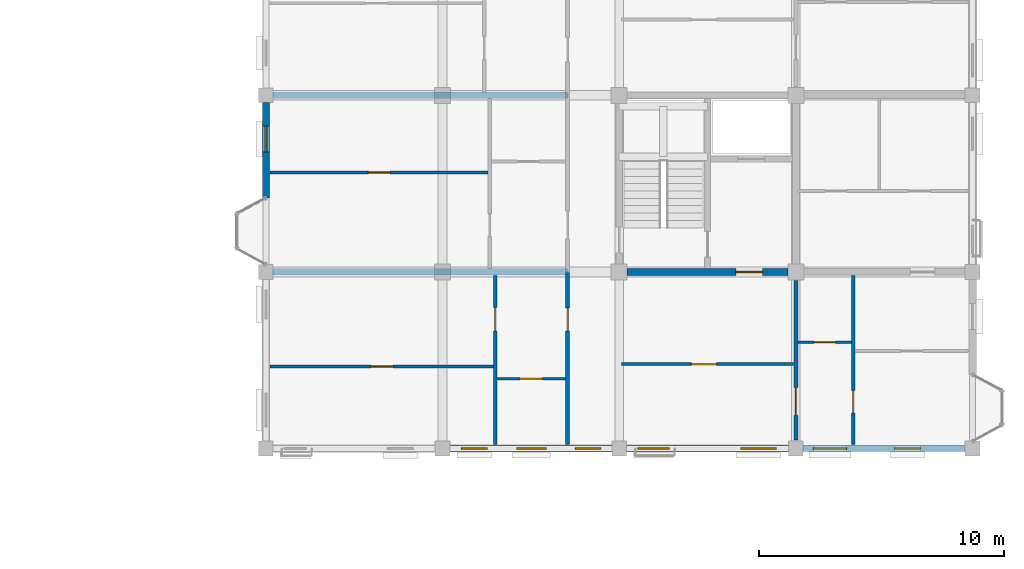
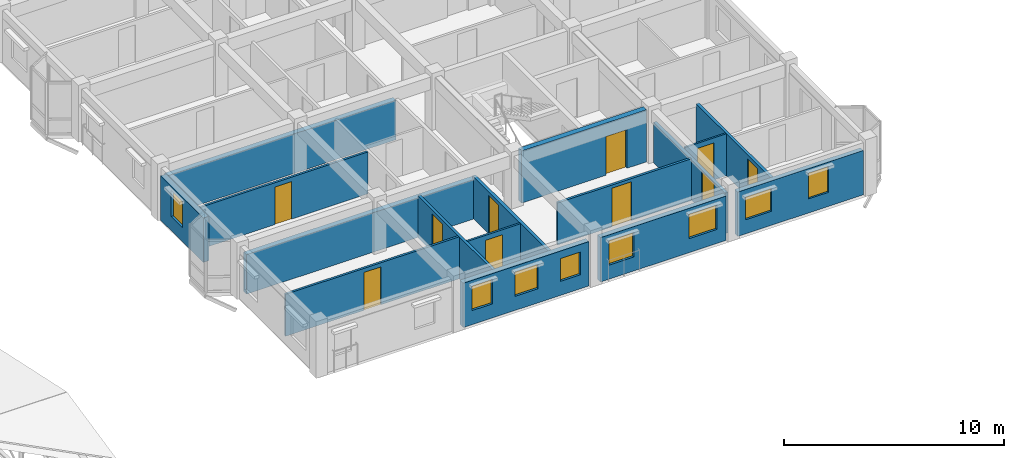
# One storey, part 100 of 124: 16 walls, 10 doors, 8 windows, 18 openings.
"""IFC4 building model written with IfcOpenShell, lengths in metres."""

from ifc_helpers import new_model, si_unit, direction, frame, frame_2d, origin, place, context, subcontext, project, spatial, rectangle, extrude, material, layer, layer_set, type_object, element, fill, save


model = new_model("IFC4")

# Units and contexts
model_context = context("Model", 3, precision=1e-05, world=origin(), true_north=direction((0.0, 1.0)))
body_context = subcontext(model_context, "Body", "Model", "MODEL_VIEW")
ifc_project = project(units=[si_unit("LENGTHUNIT", "METRE"), si_unit("AREAUNIT", "SQUARE_METRE"), si_unit("VOLUMEUNIT", "CUBIC_METRE"), si_unit("PLANEANGLEUNIT", "RADIAN"), si_unit("MASSUNIT", "GRAM", prefix="KILO"), si_unit("THERMODYNAMICTEMPERATUREUNIT", "KELVIN"), si_unit("POWERUNIT", "WATT")], contexts=[model_context])

# Site, building, storey
site_placement = place(None, origin())
site = spatial("IfcSite", under=ifc_project, at=site_placement, CompositionType="ELEMENT")
building_placement = place(site_placement, origin())
building = spatial("IfcBuilding", under=site, at=building_placement, Name="Tavuni Mirador Residences", CompositionType="ELEMENT")
storey_placement = place(building_placement, frame((0.0, 0.0, 7.64990234375)))
storey = spatial("IfcBuildingStorey", under=building, at=storey_placement, Name="L02", CompositionType="ELEMENT", Elevation=7.64990234375)

# Wall, opening, door
ifc_material_1 = material(Name="Precast concrete C40/50", Category="concrete")
ifc_layer_1 = layer(ifc_material_1, 0.280029296875, Name="Precast concrete C40/50", Category="concrete")
ifc_layer_set_1 = layer_set([ifc_layer_1], Name="Precast concrete C40/50")
wall_type_1 = type_object("IfcWallType", Name="WT-COR280", PredefinedType="SHEAR", material=ifc_layer_set_1)
wall_1_placement = place(storey_placement, frame((104.72509765625, 93.60009765625, 0.0), z_axis=(0.0, 0.0, 1.0), x_axis=(1.0, 0.0, 0.0)))
wall_1 = element("IfcWall", 1, at=wall_1_placement, inside=storey, type_object=wall_type_1, Name="CWALL-C7-L02-SS", PredefinedType="SHEAR", context=body_context, shape_type="SweptSolid", body=[
    extrude(rectangle(XDim=6.5498046875, YDim=0.280029296875, at=frame_2d((3.27490234375, 0.0))), origin(), (0.0, 0.0, 1.0), 2.89013671875),
])
opening_1_placement = place(wall_1_placement, frame((4.425048828125, 0.0, 0.0)))
opening_1 = element("IfcOpeningElement", 2, at=opening_1_placement, cuts=wall_1, Name="Opening D-02", PredefinedType="OPENING", context=body_context, shape_type="SweptSolid", body=[
    extrude(rectangle(XDim=1.10009765625, YDim=2.14990234375, at=frame_2d((0.550048828125, 1.074951171875))), frame((0.0, 0.14990234375, 0.0), z_axis=(0.0, -1.0, 0.0), x_axis=(1.0, 0.0, 0.0)), (0.0, 0.0, 1.0), 0.300048828125),
])
ifc_material_2 = material(Name="Solid core iroko timber", Category="wood")
door_type_1 = type_object("IfcDoorType", Name="DT-LOB1100", OperationType="NOTDEFINED", PredefinedType="DOOR", material=ifc_material_2)
door_1_placement = place(opening_1_placement, frame((1.10009765625, 0.0, 0.0), z_axis=(0.0, 0.0, 1.0), x_axis=(-1.0, 0.0, 0.0)))
door_1 = element("IfcDoor", 3, at=door_1_placement, inside=storey, type_object=door_type_1, Name="DR-2274", OperationType="SINGLE_SWING_RIGHT", OverallHeight=2.14990234375, OverallWidth=1.10009765625, PredefinedType="DOOR", context=body_context, shape_type="SweptSolid", body=[
    extrude(rectangle(XDim=1.10009765625, YDim=2.14990234375, at=frame_2d((0.550048828125, 1.074951171875))), frame((0.0, 0.02490234375, 0.0), z_axis=(0.0, -1.0, 0.0), x_axis=(1.0, 0.0, 0.0)), (0.0, 0.0, 1.0), 0.050048828125),
])
fill(opening_1, door_1)

ifc_layer_2 = layer(ifc_material_1, 0.1650390625, Name="Precast concrete C40/50", Category="concrete")
ifc_layer_set_2 = layer_set([ifc_layer_2], Name="Precast concrete C40/50")
wall_type_2 = type_object("IfcWallType", Name="WT-CORR165", PredefinedType="PARTITIONING", material=ifc_layer_set_2)
wall_2_placement = place(storey_placement, frame((102.300048828125, 86.574951171875, 0.0), z_axis=(0.0, 0.0, 1.0), x_axis=(0.0, 1.0, 0.0)))
wall_2 = element("IfcWall", 4, at=wall_2_placement, inside=storey, type_object=wall_type_2, Name="CORW-BLK-D-L02-0-00", PredefinedType="PARTITIONING", context=body_context, shape_type="SweptSolid", body=[
    extrude(rectangle(XDim=7.005126953125, YDim=0.1650390625, at=frame_2d((3.50244140625, 0.0))), origin(), (0.0, 0.0, 1.0), 2.3251953125),
])
opening_2_placement = place(wall_2_placement, frame((4.625, 0.0, 0.0)))
opening_2 = element("IfcOpeningElement", 5, at=opening_2_placement, cuts=wall_2, Name="Opening D-19", PredefinedType="OPENING", context=body_context, shape_type="SweptSolid", body=[
    extrude(rectangle(XDim=0.93994140625, YDim=2.1201171875, at=frame_2d((0.469970703125, 1.06005859375))), frame((0.0, 0.092529296875, 0.0), z_axis=(0.0, -1.0, 0.0), x_axis=(1.0, 0.0, 0.0)), (0.0, 0.0, 1.0), 0.18505859375),
])
door_type_2 = type_object("IfcDoorType", Name="DT-FD60-940", OperationType="NOTDEFINED", PredefinedType="DOOR", material=ifc_material_2)
door_2_placement = place(opening_2_placement, origin())
door_2 = element("IfcDoor", 6, at=door_2_placement, inside=storey, type_object=door_type_2, Name="DR-2833", OperationType="SINGLE_SWING_RIGHT", OverallHeight=2.1201171875, OverallWidth=0.93994140625, PredefinedType="DOOR", context=body_context, shape_type="SweptSolid", body=[
    extrude(rectangle(XDim=0.93994140625, YDim=2.1201171875, at=frame_2d((0.469970703125, 1.06005859375))), frame((0.0, 0.02490234375, 0.0), z_axis=(0.0, -1.0, 0.0), x_axis=(1.0, 0.0, 0.0)), (0.0, 0.0, 1.0), 0.050048828125),
])
fill(opening_2, door_2)

wall_3_placement = place(storey_placement, frame((111.60009765625, 86.75, 0.0), z_axis=(0.0, 0.0, 1.0), x_axis=(0.0, 1.0, 0.0)))
wall_3 = element("IfcWall", 7, at=wall_3_placement, inside=storey, type_object=wall_type_2, Name="CORW-BLK-D-L02-1-00", PredefinedType="PARTITIONING", context=body_context, shape_type="SweptSolid", body=[
    extrude(rectangle(XDim=6.5, YDim=0.1650390625, at=frame_2d((3.25, 0.0))), origin(), (0.0, 0.0, 1.0), 2.239990234375),
])
opening_3_placement = place(wall_3_placement, frame((1.0, 0.0, 0.0)))
opening_3 = element("IfcOpeningElement", 8, at=opening_3_placement, cuts=wall_3, Name="Opening D-20", PredefinedType="OPENING", context=body_context, shape_type="SweptSolid", body=[
    extrude(rectangle(XDim=1.139892578125, YDim=2.179931640625, at=frame_2d((0.56982421875, 1.08984375))), frame((0.0, 0.092529296875, 0.0), z_axis=(0.0, -1.0, 0.0), x_axis=(1.0, 0.0, 0.0)), (0.0, 0.0, 1.0), 0.18505859375),
])
door_type_3 = type_object("IfcDoorType", Name="DT-FD60-1140", OperationType="NOTDEFINED", PredefinedType="DOOR", material=ifc_material_2)
door_3_placement = place(opening_3_placement, origin())
door_3 = element("IfcDoor", 9, at=door_3_placement, inside=storey, type_object=door_type_3, Name="DR-2840", OperationType="SINGLE_SWING_LEFT", OverallHeight=2.179931640625, OverallWidth=1.139892578125, PredefinedType="DOOR", context=body_context, shape_type="SweptSolid", body=[
    extrude(rectangle(XDim=1.139892578125, YDim=2.179931640625, at=frame_2d((0.56982421875, 1.08984375))), frame((0.0, 0.02490234375, 0.0), z_axis=(0.0, -1.0, 0.0), x_axis=(1.0, 0.0, 0.0)), (0.0, 0.0, 1.0), 0.050048828125),
])
fill(opening_3, door_3)

# Wall, openings, windows
ifc_material_3 = material(Name="Sgraffito lime-rendered precast concrete C40/50", Category="concrete")
ifc_layer_3 = layer(ifc_material_3, 0.2548828125, Name="Sgraffito lime-rendered precast concrete C40/50", Category="concrete")
ifc_layer_set_3 = layer_set([ifc_layer_3], Name="Sgraffito lime-rendered precast concrete C40/50")
wall_type_3 = type_object("IfcWallType", Name="WT-EXT-PC255", PredefinedType="SOLIDWALL", material=ifc_layer_set_3)
wall_4_placement = place(storey_placement, frame((111.89990234375, 86.39990234375, 0.0), z_axis=(0.0, 0.0, 1.0), x_axis=(1.0, 0.0, 0.0)))
wall_4 = element("IfcWall", 10, at=wall_4_placement, inside=storey, type_object=wall_type_3, Name="EW-BLK-D-L02-S03", PredefinedType="SOLIDWALL", context=body_context, shape_type="SweptSolid", body=[
    extrude(rectangle(XDim=6.60009765625, YDim=0.2548828125, at=frame_2d((3.300048828125, 0.0))), origin(), (0.0, 0.0, 1.0), 2.460205078125),
])
opening_4_placement = place(wall_4_placement, frame((0.409912109375, 0.0, 0.780029296875)))
opening_4 = element("IfcOpeningElement", 11, at=opening_4_placement, cuts=wall_4, Name="Opening WN-15", PredefinedType="OPENING", context=body_context, shape_type="SweptSolid", body=[
    extrude(rectangle(XDim=1.360107421875, YDim=1.260009765625, at=frame_2d((0.68017578125, 0.6298828125))), frame((0.0, 0.137451171875, 0.0), z_axis=(0.0, -1.0, 0.0), x_axis=(1.0, 0.0, 0.0)), (0.0, 0.0, 1.0), 0.27490234375),
])
opening_5_placement = place(wall_4_placement, frame((3.72509765625, 0.0, 0.780029296875)))
opening_5 = element("IfcOpeningElement", 12, at=opening_5_placement, cuts=wall_4, Name="Opening WN-26", PredefinedType="OPENING", context=body_context, shape_type="SweptSolid", body=[
    extrude(rectangle(XDim=1.050048828125, YDim=1.43994140625, at=frame_2d((0.52490234375, 0.719970703125))), frame((0.0, 0.137451171875, 0.0), z_axis=(0.0, -1.0, 0.0), x_axis=(1.0, 0.0, 0.0)), (0.0, 0.0, 1.0), 0.27490234375),
])
ifc_material_4 = material(Name="Laminated solar-control glass", Category="glass")
window_type_1 = type_object("IfcWindowType", Name="WNT-15", PartitioningType="SINGLE_PANEL", PredefinedType="WINDOW", material=ifc_material_4)
window_1_placement = place(opening_4_placement, origin())
window_1 = element("IfcWindow", 13, at=window_1_placement, inside=storey, type_object=window_type_1, Name="WIN-1491", OverallHeight=1.260009765625, OverallWidth=1.360107421875, PartitioningType="SINGLE_PANEL", PredefinedType="WINDOW", context=body_context, shape_type="SweptSolid", body=[
    extrude(rectangle(XDim=1.360107421875, YDim=1.260009765625, at=frame_2d((0.68017578125, 0.6298828125))), frame((0.0, 0.030029296875, 0.0), z_axis=(0.0, -1.0, 0.0), x_axis=(1.0, 0.0, 0.0)), (0.0, 0.0, 1.0), 0.06005859375),
])
fill(opening_4, window_1)
window_type_2 = type_object("IfcWindowType", Name="WNT-26", PartitioningType="SINGLE_PANEL", PredefinedType="WINDOW", material=ifc_material_4)
window_2_placement = place(opening_5_placement, origin())
window_2 = element("IfcWindow", 14, at=window_2_placement, inside=storey, type_object=window_type_2, Name="WIN-1492", OverallHeight=1.43994140625, OverallWidth=1.050048828125, PartitioningType="SINGLE_PANEL", PredefinedType="WINDOW", context=body_context, shape_type="SweptSolid", body=[
    extrude(rectangle(XDim=1.050048828125, YDim=1.43994140625, at=frame_2d((0.52490234375, 0.719970703125))), frame((0.0, 0.030029296875, 0.0), z_axis=(0.0, -1.0, 0.0), x_axis=(1.0, 0.0, 0.0)), (0.0, 0.0, 1.0), 0.06005859375),
])
fill(opening_5, window_2)

ifc_layer_4 = layer(ifc_material_3, 0.27490234375, Name="Sgraffito lime-rendered precast concrete C40/50", Category="concrete")
ifc_layer_set_4 = layer_set([ifc_layer_4], Name="Sgraffito lime-rendered precast concrete C40/50")
wall_type_4 = type_object("IfcWallType", Name="WT-EXT-PC275", PredefinedType="SOLIDWALL", material=ifc_layer_set_4)
wall_5_placement = place(storey_placement, frame((104.699951171875, 86.39990234375, 0.0), z_axis=(0.0, 0.0, 1.0), x_axis=(1.0, 0.0, 0.0)))
wall_5 = element("IfcWall", 15, at=wall_5_placement, inside=storey, type_object=wall_type_4, Name="EW-BLK-D-L02-S02", PredefinedType="SOLIDWALL", context=body_context, shape_type="SweptSolid", body=[
    extrude(rectangle(XDim=6.60009765625, YDim=0.27490234375, at=frame_2d((3.300048828125, 0.0))), origin(), (0.0, 0.0, 1.0), 2.460205078125),
])
opening_6_placement = place(wall_5_placement, frame((0.449951171875, 0.0, 0.780029296875)))
opening_6 = element("IfcOpeningElement", 16, at=opening_6_placement, cuts=wall_5, Name="Opening WN-22", PredefinedType="OPENING", context=body_context, shape_type="SweptSolid", body=[
    extrude(rectangle(XDim=1.300048828125, YDim=1.360107421875, at=frame_2d((0.64990234375, 0.68017578125))), frame((0.0, 0.1474609375, 0.0), z_axis=(0.0, -1.0, 0.0), x_axis=(1.0, 0.0, 0.0)), (0.0, 0.0, 1.0), 0.294921875),
])
opening_7_placement = place(wall_5_placement, frame((4.64990234375, 0.0, 0.780029296875)))
opening_7 = element("IfcOpeningElement", 17, at=opening_7_placement, cuts=wall_5, Name="Opening WN-24", PredefinedType="OPENING", context=body_context, shape_type="SweptSolid", body=[
    extrude(rectangle(XDim=1.4599609375, YDim=1.360107421875, at=frame_2d((0.72998046875, 0.68017578125))), frame((0.0, 0.1474609375, 0.0), z_axis=(0.0, -1.0, 0.0), x_axis=(1.0, 0.0, 0.0)), (0.0, 0.0, 1.0), 0.294921875),
])
window_type_3 = type_object("IfcWindowType", Name="WNT-22", PartitioningType="SINGLE_PANEL", PredefinedType="WINDOW", material=ifc_material_4)
window_3_placement = place(opening_6_placement, origin())
window_3 = element("IfcWindow", 18, at=window_3_placement, inside=storey, type_object=window_type_3, Name="WIN-1489", OverallHeight=1.360107421875, OverallWidth=1.300048828125, PartitioningType="SINGLE_PANEL", PredefinedType="WINDOW", context=body_context, shape_type="SweptSolid", body=[
    extrude(rectangle(XDim=1.300048828125, YDim=1.360107421875, at=frame_2d((0.64990234375, 0.68017578125))), frame((0.0, 0.030029296875, 0.0), z_axis=(0.0, -1.0, 0.0), x_axis=(1.0, 0.0, 0.0)), (0.0, 0.0, 1.0), 0.06005859375),
])
fill(opening_6, window_3)
window_type_4 = type_object("IfcWindowType", Name="WNT-24", PartitioningType="SINGLE_PANEL", PredefinedType="WINDOW", material=ifc_material_4)
window_4_placement = place(opening_7_placement, origin())
window_4 = element("IfcWindow", 19, at=window_4_placement, inside=storey, type_object=window_type_4, Name="WIN-1490", OverallHeight=1.360107421875, OverallWidth=1.4599609375, PartitioningType="SINGLE_PANEL", PredefinedType="WINDOW", context=body_context, shape_type="SweptSolid", body=[
    extrude(rectangle(XDim=1.4599609375, YDim=1.360107421875, at=frame_2d((0.72998046875, 0.68017578125))), frame((0.0, 0.030029296875, 0.0), z_axis=(0.0, -1.0, 0.0), x_axis=(1.0, 0.0, 0.0)), (0.0, 0.0, 1.0), 0.06005859375),
])
fill(opening_7, window_4)

ifc_layer_5 = layer(ifc_material_3, 0.2900390625, Name="Sgraffito lime-rendered precast concrete C40/50", Category="concrete")
ifc_layer_set_5 = layer_set([ifc_layer_5], Name="Sgraffito lime-rendered precast concrete C40/50")
wall_type_5 = type_object("IfcWallType", Name="WT-EXT-PC290", PredefinedType="SOLIDWALL", material=ifc_layer_set_5)
wall_6_placement = place(storey_placement, frame((97.5, 86.39990234375, 0.0), z_axis=(0.0, 0.0, 1.0), x_axis=(1.0, 0.0, 0.0)))
wall_6 = element("IfcWall", 20, at=wall_6_placement, inside=storey, type_object=wall_type_5, Name="EW-BLK-D-L02-S01", PredefinedType="SOLIDWALL", context=body_context, shape_type="SweptSolid", body=[
    extrude(rectangle(XDim=6.60009765625, YDim=0.2900390625, at=frame_2d((3.300048828125, 0.0))), origin(), (0.0, 0.0, 1.0), 2.460205078125),
])
opening_8_placement = place(wall_6_placement, frame((0.465087890625, 0.0, 0.780029296875)))
opening_8 = element("IfcOpeningElement", 21, at=opening_8_placement, cuts=wall_6, Name="Opening WN-19", PredefinedType="OPENING", context=body_context, shape_type="SweptSolid", body=[
    extrude(rectangle(XDim=1.06005859375, YDim=1.360107421875, at=frame_2d((0.530029296875, 0.68017578125))), frame((0.0, 0.155029296875, 0.0), z_axis=(0.0, -1.0, 0.0), x_axis=(1.0, 0.0, 0.0)), (0.0, 0.0, 1.0), 0.31005859375),
])
opening_9_placement = place(wall_6_placement, frame((2.715087890625, 0.0, 0.780029296875)))
opening_9 = element("IfcOpeningElement", 22, at=opening_9_placement, cuts=wall_6, Name="Opening WN-21", PredefinedType="OPENING", context=body_context, shape_type="SweptSolid", body=[
    extrude(rectangle(XDim=1.219970703125, YDim=1.360107421875, at=frame_2d((0.60986328125, 0.68017578125))), frame((0.0, 0.155029296875, 0.0), z_axis=(0.0, -1.0, 0.0), x_axis=(1.0, 0.0, 0.0)), (0.0, 0.0, 1.0), 0.31005859375),
])
opening_10_placement = place(wall_6_placement, frame((5.110107421875, 0.0, 0.780029296875)))
opening_10 = element("IfcOpeningElement", 23, at=opening_10_placement, cuts=wall_6, Name="Opening WN-11", PredefinedType="OPENING", context=body_context, shape_type="SweptSolid", body=[
    extrude(rectangle(XDim=1.0400390625, YDim=1.260009765625, at=frame_2d((0.52001953125, 0.6298828125))), frame((0.0, 0.155029296875, 0.0), z_axis=(0.0, -1.0, 0.0), x_axis=(1.0, 0.0, 0.0)), (0.0, 0.0, 1.0), 0.31005859375),
])
window_type_5 = type_object("IfcWindowType", Name="WNT-11", PartitioningType="SINGLE_PANEL", PredefinedType="WINDOW", material=ifc_material_4)
window_5_placement = place(opening_10_placement, origin())
window_5 = element("IfcWindow", 24, at=window_5_placement, inside=storey, type_object=window_type_5, Name="WIN-1488", OverallHeight=1.260009765625, OverallWidth=1.0400390625, PartitioningType="SINGLE_PANEL", PredefinedType="WINDOW", context=body_context, shape_type="SweptSolid", body=[
    extrude(rectangle(XDim=1.0400390625, YDim=1.260009765625, at=frame_2d((0.52001953125, 0.6298828125))), frame((0.0, 0.030029296875, 0.0), z_axis=(0.0, -1.0, 0.0), x_axis=(1.0, 0.0, 0.0)), (0.0, 0.0, 1.0), 0.06005859375),
])
fill(opening_10, window_5)
window_type_6 = type_object("IfcWindowType", Name="WNT-19", PartitioningType="SINGLE_PANEL", PredefinedType="WINDOW", material=ifc_material_4)
window_6_placement = place(opening_8_placement, origin())
window_6 = element("IfcWindow", 25, at=window_6_placement, inside=storey, type_object=window_type_6, Name="WIN-1486", OverallHeight=1.360107421875, OverallWidth=1.06005859375, PartitioningType="SINGLE_PANEL", PredefinedType="WINDOW", context=body_context, shape_type="SweptSolid", body=[
    extrude(rectangle(XDim=1.06005859375, YDim=1.360107421875, at=frame_2d((0.530029296875, 0.68017578125))), frame((0.0, 0.030029296875, 0.0), z_axis=(0.0, -1.0, 0.0), x_axis=(1.0, 0.0, 0.0)), (0.0, 0.0, 1.0), 0.06005859375),
])
fill(opening_8, window_6)
window_type_7 = type_object("IfcWindowType", Name="WNT-21", PartitioningType="SINGLE_PANEL", PredefinedType="WINDOW", material=ifc_material_4)
window_7_placement = place(opening_9_placement, origin())
window_7 = element("IfcWindow", 26, at=window_7_placement, inside=storey, type_object=window_type_7, Name="WIN-1487", OverallHeight=1.360107421875, OverallWidth=1.219970703125, PartitioningType="SINGLE_PANEL", PredefinedType="WINDOW", context=body_context, shape_type="SweptSolid", body=[
    extrude(rectangle(XDim=1.219970703125, YDim=1.360107421875, at=frame_2d((0.60986328125, 0.68017578125))), frame((0.0, 0.030029296875, 0.0), z_axis=(0.0, -1.0, 0.0), x_axis=(1.0, 0.0, 0.0)), (0.0, 0.0, 1.0), 0.06005859375),
])
fill(opening_9, window_7)

# Wall, opening, window
wall_7_placement = place(storey_placement, frame((90.0, 100.5, 0.0), z_axis=(0.0, 0.0, 1.0), x_axis=(0.0, -1.0, 0.0)))
wall_7 = element("IfcWall", 27, at=wall_7_placement, inside=storey, type_object=wall_type_5, Name="EW-BLK-D-L02-W01", PredefinedType="SOLIDWALL", context=body_context, shape_type="SweptSolid", body=[
    extrude(rectangle(XDim=3.8798828125, YDim=0.2900390625, at=frame_2d((1.93994140625, 0.0))), origin(), (0.0, 0.0, 1.0), 2.460205078125),
])
opening_11_placement = place(wall_7_placement, frame((0.955078125, 0.0, 0.780029296875)))
opening_11 = element("IfcOpeningElement", 28, at=opening_11_placement, cuts=wall_7, Name="Opening WN-26", PredefinedType="OPENING", context=body_context, shape_type="SweptSolid", body=[
    extrude(rectangle(XDim=1.050048828125, YDim=1.43994140625, at=frame_2d((0.52490234375, 0.719970703125))), frame((0.0, 0.155029296875, 0.0), z_axis=(0.0, -1.0, 0.0), x_axis=(1.0, 0.0, 0.0)), (0.0, 0.0, 1.0), 0.31005859375),
])
window_8_placement = place(opening_11_placement, origin())
window_8 = element("IfcWindow", 29, at=window_8_placement, inside=storey, type_object=window_type_2, Name="WIN-1523", OverallHeight=1.43994140625, OverallWidth=1.050048828125, PartitioningType="SINGLE_PANEL", PredefinedType="WINDOW", context=body_context, shape_type="SweptSolid", body=[
    extrude(rectangle(XDim=1.050048828125, YDim=1.43994140625, at=frame_2d((0.52490234375, 0.719970703125))), frame((0.0, 0.030029296875, 0.0), z_axis=(0.0, -1.0, 0.0), x_axis=(1.0, 0.0, 0.0)), (0.0, 0.0, 1.0), 0.06005859375),
])
fill(opening_11, window_8)

# Wall, opening, door
ifc_material_5 = material(Name="Acoustic gypsum and concrete block partition", Category="concrete")
ifc_layer_6 = layer(ifc_material_5, 0.094970703125, Name="Acoustic gypsum and concrete block partition", Category="concrete")
ifc_layer_set_6 = layer_set([ifc_layer_6], Name="Acoustic gypsum and concrete block partition")
wall_type_6 = type_object("IfcWallType", Name="WT-PART095", PredefinedType="PARTITIONING", material=ifc_layer_set_6)
wall_8_placement = place(storey_placement, frame((111.68994140625, 90.739990234375, 0.0), z_axis=(0.0, 0.0, 1.0), x_axis=(1.0, 0.0, 0.0)))
wall_8 = element("IfcWall", 30, at=wall_8_placement, inside=storey, type_object=wall_type_6, Name="PW-BLK-D-L02-E00-IN1", PredefinedType="PARTITIONING", context=body_context, shape_type="SweptSolid", body=[
    extrude(rectangle(XDim=2.18017578125, YDim=0.094970703125, at=frame_2d((1.090087890625, 0.0))), origin(), (0.0, 0.0, 1.0), 2.3251953125),
])
opening_12_placement = place(wall_8_placement, frame((0.655029296875, 0.0, 0.0)))
opening_12 = element("IfcOpeningElement", 31, at=opening_12_placement, cuts=wall_8, Name="Opening D-10", PredefinedType="OPENING", context=body_context, shape_type="SweptSolid", body=[
    extrude(rectangle(XDim=0.8701171875, YDim=2.050048828125, at=frame_2d((0.43505859375, 1.02490234375))), frame((0.0, 0.0576171875, 0.0), z_axis=(0.0, -1.0, 0.0), x_axis=(1.0, 0.0, 0.0)), (0.0, 0.0, 1.0), 0.114990234375),
])
door_type_4 = type_object("IfcDoorType", Name="DT-WC870", OperationType="NOTDEFINED", PredefinedType="DOOR", material=ifc_material_2)
door_4_placement = place(opening_12_placement, origin())
door_4 = element("IfcDoor", 32, at=door_4_placement, inside=storey, type_object=door_type_4, Name="DR-4356", OperationType="SINGLE_SWING_LEFT", OverallHeight=2.050048828125, OverallWidth=0.8701171875, PredefinedType="DOOR", context=body_context, shape_type="SweptSolid", body=[
    extrude(rectangle(XDim=0.8701171875, YDim=2.050048828125, at=frame_2d((0.43505859375, 1.02490234375))), frame((0.0, 0.02490234375, 0.0), z_axis=(0.0, -1.0, 0.0), x_axis=(1.0, 0.0, 0.0)), (0.0, 0.0, 1.0), 0.050048828125),
])
fill(opening_12, door_4)

ifc_layer_7 = layer(ifc_material_5, 0.10498046875, Name="Acoustic gypsum and concrete block partition", Category="concrete")
ifc_layer_set_7 = layer_set([ifc_layer_7], Name="Acoustic gypsum and concrete block partition")
wall_type_7 = type_object("IfcWallType", Name="WT-PART105", PredefinedType="PARTITIONING", material=ifc_layer_set_7)
wall_9_placement = place(storey_placement, frame((99.419921875, 89.25, 0.0), z_axis=(0.0, 0.0, 1.0), x_axis=(1.0, 0.0, 0.0)))
wall_9 = element("IfcWall", 33, at=wall_9_placement, inside=storey, type_object=wall_type_7, Name="PW-BLK-D-L02-W00-IN1", PredefinedType="PARTITIONING", context=body_context, shape_type="SweptSolid", body=[
    extrude(rectangle(XDim=2.7900390625, YDim=0.10498046875, at=frame_2d((1.39501953125, 0.0))), origin(), (0.0, 0.0, 1.0), 2.3251953125),
])
opening_13_placement = place(wall_9_placement, frame((0.945068359375, 0.0, 0.0)))
opening_13 = element("IfcOpeningElement", 34, at=opening_13_placement, cuts=wall_9, Name="Opening D-09", PredefinedType="OPENING", context=body_context, shape_type="SweptSolid", body=[
    extrude(rectangle(XDim=0.89990234375, YDim=2.050048828125, at=frame_2d((0.449951171875, 1.02490234375))), frame((0.0, 0.0625, 0.0), z_axis=(0.0, -1.0, 0.0), x_axis=(1.0, 0.0, 0.0)), (0.0, 0.0, 1.0), 0.125),
])
door_type_5 = type_object("IfcDoorType", Name="DT-WC900", OperationType="NOTDEFINED", PredefinedType="DOOR", material=ifc_material_2)
door_5_placement = place(opening_13_placement, origin())
door_5 = element("IfcDoor", 35, at=door_5_placement, inside=storey, type_object=door_type_5, Name="DR-4353", OperationType="SINGLE_SWING_RIGHT", OverallHeight=2.050048828125, OverallWidth=0.89990234375, PredefinedType="DOOR", context=body_context, shape_type="SweptSolid", body=[
    extrude(rectangle(XDim=0.89990234375, YDim=2.050048828125, at=frame_2d((0.449951171875, 1.02490234375))), frame((0.0, 0.02490234375, 0.0), z_axis=(0.0, -1.0, 0.0), x_axis=(1.0, 0.0, 0.0)), (0.0, 0.0, 1.0), 0.050048828125),
])
fill(opening_13, door_5)

ifc_layer_8 = layer(ifc_material_5, 0.114990234375, Name="Acoustic gypsum and concrete block partition", Category="concrete")
ifc_layer_set_8 = layer_set([ifc_layer_8], Name="Acoustic gypsum and concrete block partition")
wall_type_8 = type_object("IfcWallType", Name="WT-PART115", PredefinedType="PARTITIONING", material=ifc_layer_set_8)
wall_10_placement = place(storey_placement, frame((90.175048828125, 89.75, 0.0), z_axis=(0.0, 0.0, 1.0), x_axis=(1.0, 0.0, 0.0)))
wall_10 = element("IfcWall", 36, at=wall_10_placement, inside=storey, type_object=wall_type_8, Name="PW-BLK-D-L02-W00-OUT", PredefinedType="PARTITIONING", context=body_context, shape_type="SweptSolid", body=[
    extrude(rectangle(XDim=9.10498046875, YDim=0.114990234375, at=frame_2d((4.552490234375, 0.0))), origin(), (0.0, 0.0, 1.0), 2.3251953125),
])
opening_14_placement = place(wall_10_placement, frame((4.1025390625, 0.0, 0.0)))
opening_14 = element("IfcOpeningElement", 37, at=opening_14_placement, cuts=wall_10, Name="Opening D-07", PredefinedType="OPENING", context=body_context, shape_type="SweptSolid", body=[
    extrude(rectangle(XDim=0.89990234375, YDim=2.10009765625, at=frame_2d((0.449951171875, 1.050048828125))), frame((0.0, 0.0673828125, 0.0), z_axis=(0.0, -1.0, 0.0), x_axis=(1.0, 0.0, 0.0)), (0.0, 0.0, 1.0), 0.135009765625),
])
door_type_6 = type_object("IfcDoorType", Name="DT-BED900", OperationType="NOTDEFINED", PredefinedType="DOOR", material=ifc_material_2)
door_6_placement = place(opening_14_placement, origin())
door_6 = element("IfcDoor", 38, at=door_6_placement, inside=storey, type_object=door_type_6, Name="DR-4352", OperationType="SINGLE_SWING_LEFT", OverallHeight=2.10009765625, OverallWidth=0.89990234375, PredefinedType="DOOR", context=body_context, shape_type="SweptSolid", body=[
    extrude(rectangle(XDim=0.89990234375, YDim=2.10009765625, at=frame_2d((0.449951171875, 1.050048828125))), frame((0.0, 0.02490234375, 0.0), z_axis=(0.0, -1.0, 0.0), x_axis=(1.0, 0.0, 0.0)), (0.0, 0.0, 1.0), 0.050048828125),
])
fill(opening_14, door_6)

wall_11_placement = place(storey_placement, frame((90.175048828125, 97.64990234375, 0.0), z_axis=(0.0, 0.0, 1.0), x_axis=(1.0, 0.0, 0.0)))
wall_11 = element("IfcWall", 39, at=wall_11_placement, inside=storey, type_object=wall_type_8, Name="PW-BLK-D-L02-W01-OUT", PredefinedType="PARTITIONING", context=body_context, shape_type="SweptSolid", body=[
    extrude(rectangle(XDim=8.875, YDim=0.114990234375, at=frame_2d((4.4375, 0.0))), origin(), (0.0, 0.0, 1.0), 2.3251953125),
])
opening_15_placement = place(wall_11_placement, frame((3.99755859375, 0.0, 0.0)))
opening_15 = element("IfcOpeningElement", 40, at=opening_15_placement, cuts=wall_11, Name="Opening D-08", PredefinedType="OPENING", context=body_context, shape_type="SweptSolid", body=[
    extrude(rectangle(XDim=0.8798828125, YDim=2.080078125, at=frame_2d((0.43994140625, 1.0400390625))), frame((0.0, 0.0673828125, 0.0), z_axis=(0.0, -1.0, 0.0), x_axis=(1.0, 0.0, 0.0)), (0.0, 0.0, 1.0), 0.135009765625),
])
door_type_7 = type_object("IfcDoorType", Name="DT-BED880", OperationType="NOTDEFINED", PredefinedType="DOOR", material=ifc_material_2)
door_7_placement = place(opening_15_placement, origin())
door_7 = element("IfcDoor", 41, at=door_7_placement, inside=storey, type_object=door_type_7, Name="DR-4358", OperationType="SINGLE_SWING_RIGHT", OverallHeight=2.080078125, OverallWidth=0.8798828125, PredefinedType="DOOR", context=body_context, shape_type="SweptSolid", body=[
    extrude(rectangle(XDim=0.8798828125, YDim=2.080078125, at=frame_2d((0.43994140625, 1.0400390625))), frame((0.0, 0.02490234375, 0.0), z_axis=(0.0, -1.0, 0.0), x_axis=(1.0, 0.0, 0.0)), (0.0, 0.0, 1.0), 0.050048828125),
])
fill(opening_15, door_7)

ifc_layer_9 = layer(ifc_material_5, 0.125, Name="Acoustic gypsum and concrete block partition", Category="concrete")
ifc_layer_set_9 = layer_set([ifc_layer_9], Name="Acoustic gypsum and concrete block partition")
wall_type_9 = type_object("IfcWallType", Name="WT-PART125", PredefinedType="PARTITIONING", material=ifc_layer_set_9)
wall_12_placement = place(storey_placement, frame((104.489990234375, 89.840087890625, 0.0), z_axis=(0.0, 0.0, 1.0), x_axis=(1.0, 0.0, 0.0)))
wall_12 = element("IfcWall", 42, at=wall_12_placement, inside=storey, type_object=wall_type_9, Name="PW-SPN-BLK-D-L02-00", PredefinedType="PARTITIONING", context=body_context, shape_type="SweptSolid", body=[
    extrude(rectangle(XDim=7.02001953125, YDim=0.125, at=frame_2d((3.510009765625, 0.0))), origin(), (0.0, 0.0, 1.0), 2.3251953125),
])
opening_16_placement = place(wall_12_placement, frame((2.85009765625, 0.0, 0.0)))
opening_16 = element("IfcOpeningElement", 43, at=opening_16_placement, cuts=wall_12, Name="Opening D-13", PredefinedType="OPENING", context=body_context, shape_type="SweptSolid", body=[
    extrude(rectangle(XDim=1.02001953125, YDim=2.14990234375, at=frame_2d((0.510009765625, 1.074951171875))), frame((0.0, 0.072509765625, 0.0), z_axis=(0.0, -1.0, 0.0), x_axis=(1.0, 0.0, 0.0)), (0.0, 0.0, 1.0), 0.14501953125),
])
door_type_8 = type_object("IfcDoorType", Name="DT-MTG1020", OperationType="NOTDEFINED", PredefinedType="DOOR", material=ifc_material_2)
door_8_placement = place(opening_16_placement, origin())
door_8 = element("IfcDoor", 44, at=door_8_placement, inside=storey, type_object=door_type_8, Name="DR-4351", OperationType="SINGLE_SWING_LEFT", OverallHeight=2.14990234375, OverallWidth=1.02001953125, PredefinedType="DOOR", context=body_context, shape_type="SweptSolid", body=[
    extrude(rectangle(XDim=1.02001953125, YDim=2.14990234375, at=frame_2d((0.510009765625, 1.074951171875))), frame((0.0, 0.02490234375, 0.0), z_axis=(0.0, -1.0, 0.0), x_axis=(1.0, 0.0, 0.0)), (0.0, 0.0, 1.0), 0.050048828125),
])
fill(opening_16, door_8)

ifc_layer_10 = layer(ifc_material_5, 0.139892578125, Name="Acoustic gypsum and concrete block partition", Category="concrete")
ifc_layer_set_10 = layer_set([ifc_layer_10], Name="Acoustic gypsum and concrete block partition")
wall_type_10 = type_object("IfcWallType", Name="WT-PART140", PredefinedType="PARTITIONING", material=ifc_layer_set_10)
wall_13_placement = place(storey_placement, frame((99.35009765625, 86.574951171875, 0.0), z_axis=(0.0, 0.0, 1.0), x_axis=(0.0, 1.0, 0.0)))
wall_13 = element("IfcWall", 45, at=wall_13_placement, inside=storey, type_object=wall_type_10, Name="PW-BLK-D-L02-W00-MID", PredefinedType="PARTITIONING", context=body_context, shape_type="SweptSolid", body=[
    extrude(rectangle(XDim=6.885009765625, YDim=0.139892578125, at=frame_2d((3.4423828125, 0.0))), origin(), (0.0, 0.0, 1.0), 2.3251953125),
])
opening_17_placement = place(wall_13_placement, frame((4.625, 0.0, 0.0)))
opening_17 = element("IfcOpeningElement", 46, at=opening_17_placement, cuts=wall_13, Name="Opening D-05", PredefinedType="OPENING", context=body_context, shape_type="SweptSolid", body=[
    extrude(rectangle(XDim=0.949951171875, YDim=2.10009765625, at=frame_2d((0.47509765625, 1.050048828125))), frame((0.0, 0.080078125, 0.0), z_axis=(0.0, -1.0, 0.0), x_axis=(1.0, 0.0, 0.0)), (0.0, 0.0, 1.0), 0.159912109375),
])
door_type_9 = type_object("IfcDoorType", Name="DT-INT950", OperationType="NOTDEFINED", PredefinedType="DOOR", material=ifc_material_2)
door_9_placement = place(opening_17_placement, origin())
door_9 = element("IfcDoor", 47, at=door_9_placement, inside=storey, type_object=door_type_9, Name="DR-4354", OperationType="SINGLE_SWING_LEFT", OverallHeight=2.10009765625, OverallWidth=0.949951171875, PredefinedType="DOOR", context=body_context, shape_type="SweptSolid", body=[
    extrude(rectangle(XDim=0.949951171875, YDim=2.10009765625, at=frame_2d((0.47509765625, 1.050048828125))), frame((0.0, 0.02490234375, 0.0), z_axis=(0.0, -1.0, 0.0), x_axis=(1.0, 0.0, 0.0)), (0.0, 0.0, 1.0), 0.050048828125),
])
fill(opening_17, door_9)

ifc_layer_11 = layer(ifc_material_5, 0.14990234375, Name="Acoustic gypsum and concrete block partition", Category="concrete")
ifc_layer_set_11 = layer_set([ifc_layer_11], Name="Acoustic gypsum and concrete block partition")
wall_type_11 = type_object("IfcWallType", Name="WT-PART150", PredefinedType="PARTITIONING", material=ifc_layer_set_11)
wall_14_placement = place(storey_placement, frame((113.93994140625, 86.574951171875, 0.0), z_axis=(0.0, 0.0, 1.0), x_axis=(0.0, 1.0, 0.0)))
wall_14 = element("IfcWall", 48, at=wall_14_placement, inside=storey, type_object=wall_type_11, Name="PW-BLK-D-L02-E00-MID", PredefinedType="PARTITIONING", context=body_context, shape_type="SweptSolid", body=[
    extrude(rectangle(XDim=6.885009765625, YDim=0.14990234375, at=frame_2d((3.4423828125, 0.0))), origin(), (0.0, 0.0, 1.0), 2.3251953125),
])
opening_18_placement = place(wall_14_placement, frame((1.27490234375, 0.0, 0.0)))
opening_18 = element("IfcOpeningElement", 49, at=opening_18_placement, cuts=wall_14, Name="Opening D-06", PredefinedType="OPENING", context=body_context, shape_type="SweptSolid", body=[
    extrude(rectangle(XDim=0.919921875, YDim=2.10009765625, at=frame_2d((0.4599609375, 1.050048828125))), frame((0.0, 0.0849609375, 0.0), z_axis=(0.0, -1.0, 0.0), x_axis=(1.0, 0.0, 0.0)), (0.0, 0.0, 1.0), 0.169921875),
])
door_type_10 = type_object("IfcDoorType", Name="DT-INT920", OperationType="NOTDEFINED", PredefinedType="DOOR", material=ifc_material_2)
door_10_placement = place(opening_18_placement, origin())
door_10 = element("IfcDoor", 50, at=door_10_placement, inside=storey, type_object=door_type_10, Name="DR-4357", OperationType="SINGLE_SWING_RIGHT", OverallHeight=2.10009765625, OverallWidth=0.919921875, PredefinedType="DOOR", context=body_context, shape_type="SweptSolid", body=[
    extrude(rectangle(XDim=0.919921875, YDim=2.10009765625, at=frame_2d((0.4599609375, 1.050048828125))), frame((0.0, 0.02490234375, 0.0), z_axis=(0.0, -1.0, 0.0), x_axis=(1.0, 0.0, 0.0)), (0.0, 0.0, 1.0), 0.050048828125),
])
fill(opening_18, door_10)

# Walls
ifc_layer_12 = layer(ifc_material_1, 0.264892578125, Name="Precast concrete C40/50", Category="concrete")
ifc_layer_set_12 = layer_set([ifc_layer_12], Name="Precast concrete C40/50")
wall_type_12 = type_object("IfcWallType", Name="WT-XW265", PredefinedType="SOLIDWALL", material=ifc_layer_set_12)
for number, where, z_axis, x_axis, name in (
    (51, (90.300048828125, 93.60009765625, 0.0), (0.0, 0.0, 1.0), (1.0, 0.0, 0.0), "XW-BLK-D-L02-W-01"),
    (52, (90.300048828125, 100.800048828125, 0.0), (0.0, 0.0, 1.0), (1.0, 0.0, 0.0), "XW-BLK-D-L02-W-02"),
):
    element("IfcWall", number, at=place(storey_placement, frame(where, z_axis=z_axis, x_axis=x_axis)), inside=storey, type_object=wall_type_12, Name=name, PredefinedType="SOLIDWALL", context=body_context, shape_type="SweptSolid", body=[
        extrude(rectangle(XDim=12.0, YDim=0.264892578125, at=frame_2d((6.0, 0.0))), origin(), (0.0, 0.0, 1.0), 2.190185546875),
    ])

save(model, "model.ifc")
